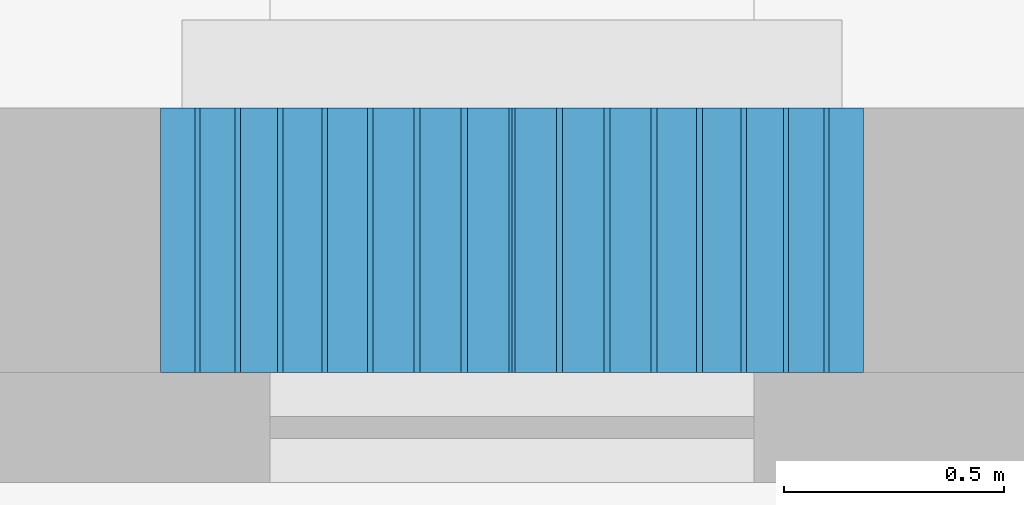
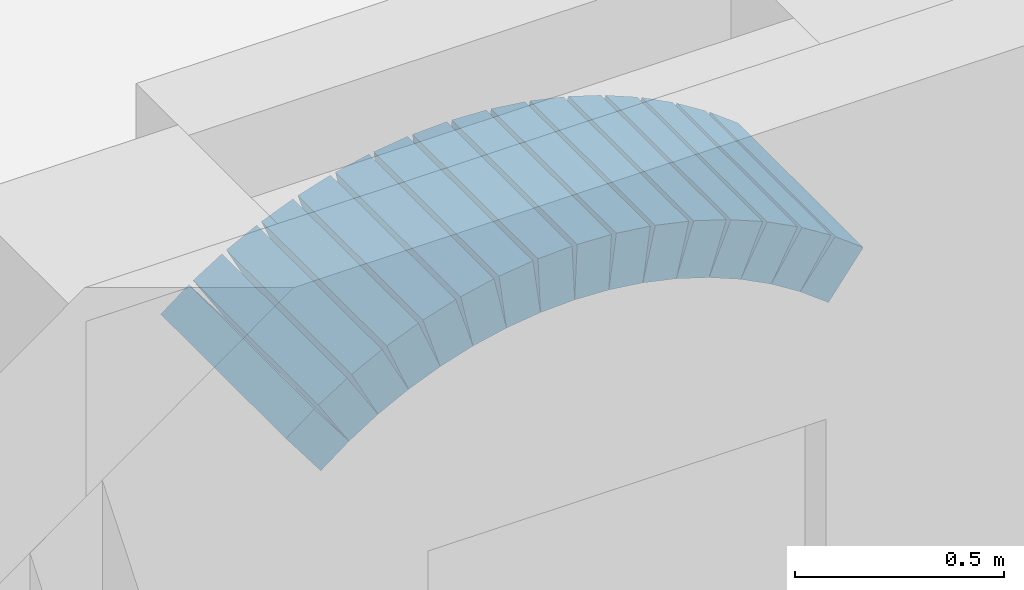
# One storey, part 28 of 112: 16 members.
"""IFC4 building model written with IfcOpenShell, lengths in metres."""

from ifc_helpers import new_model, si_unit, direction, frame, origin, origin_2d, place, context, subcontext, project, spatial, rectangle, extrude, material, material_profile, profile_set, type_object, element, save


model = new_model("IFC4")

# Units and contexts
model_context = context("Model", 3, precision=1e-05, world=origin(), true_north=direction((0.0, 1.0)))
body_context = subcontext(model_context, "Body", "Model", "MODEL_VIEW")
ifc_project = project(units=[si_unit("LENGTHUNIT", "METRE"), si_unit("AREAUNIT", "SQUARE_METRE"), si_unit("VOLUMEUNIT", "CUBIC_METRE"), si_unit("PLANEANGLEUNIT", "RADIAN"), si_unit("MASSUNIT", "GRAM", prefix="KILO")], contexts=[model_context])

# Site, building, storey
site_placement = place(None, origin())
site = spatial("IfcSite", under=ifc_project, at=site_placement, CompositionType="ELEMENT")
building_placement = place(site_placement, origin())
building = spatial("IfcBuilding", under=site, at=building_placement, Name="Ridgestep Commons", CompositionType="ELEMENT")
storey_placement = place(building_placement, origin())
storey = spatial("IfcBuildingStorey", under=building, at=storey_placement, Name="L00", CompositionType="ELEMENT", Elevation=0.0)

# Members
ifc_material = material(Name="Precast concrete C40/50", Category="concrete")
ifc_material_profile = material_profile(ifc_material, rectangle(XDim=0.60009765625, YDim=0.159912109375, at=origin_2d()), Name="Portal arch segment 600 x 160")
ifc_profile_set = profile_set([ifc_material_profile], Name="Precast concrete C40/50")
member_type = type_object("IfcMemberType", Name="Portal arch segment 600 x 160", PredefinedType="USERDEFINED", material=ifc_profile_set)
member_1_placement = place(storey_placement, frame((184.074951171875, 77.550048828125, 2.300048828125), z_axis=(0.79850499213, 0.0, 0.601988187213), x_axis=(0.0, 1.0, 0.0)))
element("IfcMember", 1, at=member_1_placement, inside=storey, type_object=member_type, Name="Portal arch segment C1", ObjectType="ARCH SEGMENT", PredefinedType="USERDEFINED", context=body_context, shape_type="SweptSolid", body=[
    extrude(rectangle(XDim=0.60009765625, YDim=0.159912109375, at=origin_2d()), origin(), (0.0, 0.0, 1.0), 0.09814453125),
])
member_2_placement = place(storey_placement, frame((184.158935546875, 77.550048828125, 2.36328125), z_axis=(0.846835904525, 0.0, 0.53185425711), x_axis=(0.0, 1.0, 0.0)))
element("IfcMember", 2, at=member_2_placement, inside=storey, type_object=member_type, Name="Portal arch segment C2", ObjectType="ARCH SEGMENT", PredefinedType="USERDEFINED", context=body_context, shape_type="SweptSolid", body=[
    extrude(rectangle(XDim=0.60009765625, YDim=0.159912109375, at=origin_2d()), origin(), (0.0, 0.0, 1.0), 0.094482421875),
])
for number, where, z_axis, x_axis, name in (
    (3, (184.2451171875, 77.550048828125, 2.4169921875), (0.888688378727, 0.0, 0.458511685256), (0.0, 1.0, 0.0), "Portal arch segment C3"),
    (4, (184.335693359375, 77.550048828125, 2.463134765625), (0.925423721181, 0.0, 0.378933947113), (0.0, 1.0, 0.0), "Portal arch segment C4"),
):
    element("IfcMember", number, at=place(storey_placement, frame(where, z_axis=z_axis, x_axis=x_axis)), inside=storey, type_object=member_type, Name=name, ObjectType="ARCH SEGMENT", PredefinedType="USERDEFINED", context=body_context, shape_type="SweptSolid", body=[
        extrude(rectangle(XDim=0.60009765625, YDim=0.159912109375, at=origin_2d()), origin(), (0.0, 0.0, 1.0), 0.0947265625),
    ])
member_3_placement = place(storey_placement, frame((184.4296875, 77.550048828125, 2.50146484375), z_axis=(0.954434191014, 0.0, 0.298421472123), x_axis=(0.0, 1.0, 0.0)))
element("IfcMember", 5, at=member_3_placement, inside=storey, type_object=member_type, Name="Portal arch segment C5", ObjectType="ARCH SEGMENT", PredefinedType="USERDEFINED", context=body_context, shape_type="SweptSolid", body=[
    extrude(rectangle(XDim=0.60009765625, YDim=0.159912109375, at=origin_2d()), origin(), (0.0, 0.0, 1.0), 0.094970703125),
])
member_4_placement = place(storey_placement, frame((184.52685546875, 77.550048828125, 2.531494140625), z_axis=(0.976849546351, 0.0, 0.213927473211), x_axis=(0.0, 1.0, 0.0)))
element("IfcMember", 6, at=member_4_placement, inside=storey, type_object=member_type, Name="Portal arch segment C6", ObjectType="ARCH SEGMENT", PredefinedType="USERDEFINED", context=body_context, shape_type="SweptSolid", body=[
    extrude(rectangle(XDim=0.60009765625, YDim=0.159912109375, at=origin_2d()), origin(), (0.0, 0.0, 1.0), 0.0947265625),
])
for number, where, z_axis, x_axis, name in (
    (7, (184.626220703125, 77.550048828125, 2.552978515625), (0.991629186244, 0.0, 0.129118383625), (0.0, 1.0, 0.0), "Portal arch segment C7"),
    (8, (184.72705078125, 77.550048828125, 2.565673828125), (0.999036574918, 0.0, 0.04388532758), (0.0, 1.0, 0.0), "Portal arch segment C8"),
):
    element("IfcMember", number, at=place(storey_placement, frame(where, z_axis=z_axis, x_axis=x_axis)), inside=storey, type_object=member_type, Name=name, ObjectType="ARCH SEGMENT", PredefinedType="USERDEFINED", context=body_context, shape_type="SweptSolid", body=[
        extrude(rectangle(XDim=0.60009765625, YDim=0.159912109375, at=origin_2d()), origin(), (0.0, 0.0, 1.0), 0.094482421875),
    ])
for number, where, z_axis, x_axis, name in (
    (9, (184.828369140625, 77.550048828125, 2.56982421875), (0.999041527498, 0.0, -0.04377243806), (0.0, 1.0, 0.0), "Portal arch segment C9"),
    (10, (184.929931640625, 77.550048828125, 2.565185546875), (0.991672073525, 0.0, -0.128788580977), (0.0, 1.0, 0.0), "Portal arch segment C10"),
    (11, (185.03076171875, 77.550048828125, 2.5517578125), (0.976849546351, 0.0, -0.213927473211), (0.0, 1.0, 0.0), "Portal arch segment C11"),
    (12, (185.1298828125, 77.550048828125, 2.52978515625), (0.954204240747, 0.0, -0.299155924126), (0.0, 1.0, 0.0), "Portal arch segment C12"),
    (13, (185.226806640625, 77.550048828125, 2.4990234375), (0.925423721181, 0.0, -0.378933947113), (0.0, 1.0, 0.0), "Portal arch segment C13"),
    (14, (185.320556640625, 77.550048828125, 2.46044921875), (0.888688378727, 0.0, -0.458511685256), (0.0, 1.0, 0.0), "Portal arch segment C14"),
):
    element("IfcMember", number, at=place(storey_placement, frame(where, z_axis=z_axis, x_axis=x_axis)), inside=storey, type_object=member_type, Name=name, ObjectType="ARCH SEGMENT", PredefinedType="USERDEFINED", context=body_context, shape_type="SweptSolid", body=[
        extrude(rectangle(XDim=0.60009765625, YDim=0.159912109375, at=origin_2d()), origin(), (0.0, 0.0, 1.0), 0.0947265625),
    ])
member_5_placement = place(storey_placement, frame((185.410888671875, 77.550048828125, 2.41357421875), z_axis=(0.846835904525, 0.0, -0.53185425711), x_axis=(0.0, 1.0, 0.0)))
element("IfcMember", 15, at=member_5_placement, inside=storey, type_object=member_type, Name="Portal arch segment C15", ObjectType="ARCH SEGMENT", PredefinedType="USERDEFINED", context=body_context, shape_type="SweptSolid", body=[
    extrude(rectangle(XDim=0.60009765625, YDim=0.159912109375, at=origin_2d()), origin(), (0.0, 0.0, 1.0), 0.094482421875),
])
member_6_placement = place(storey_placement, frame((185.496826171875, 77.550048828125, 2.359130859375), z_axis=(0.797600835796, 0.0, -0.603185632071), x_axis=(0.0, 1.0, 0.0)))
element("IfcMember", 16, at=member_6_placement, inside=storey, type_object=member_type, Name="Portal arch segment C16", ObjectType="ARCH SEGMENT", PredefinedType="USERDEFINED", context=body_context, shape_type="SweptSolid", body=[
    extrude(rectangle(XDim=0.60009765625, YDim=0.159912109375, at=origin_2d()), origin(), (0.0, 0.0, 1.0), 0.097900390625),
])

save(model, "model.ifc")
